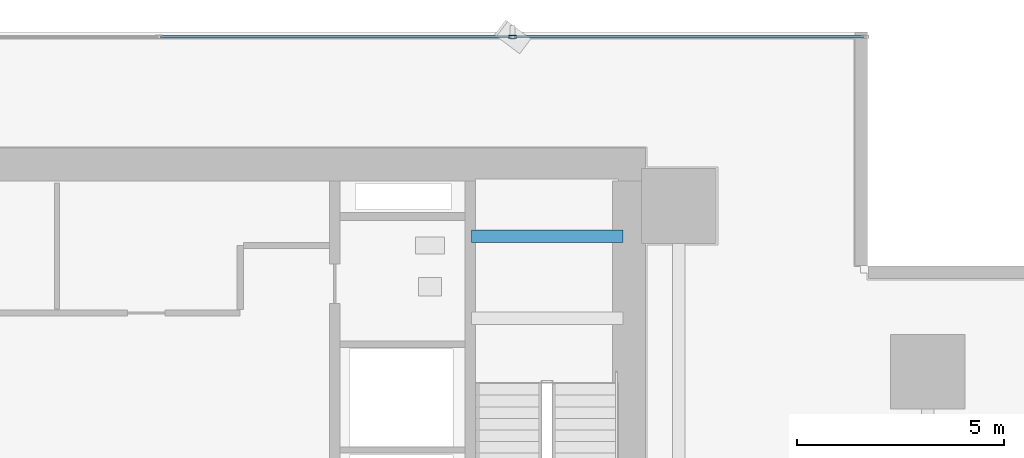
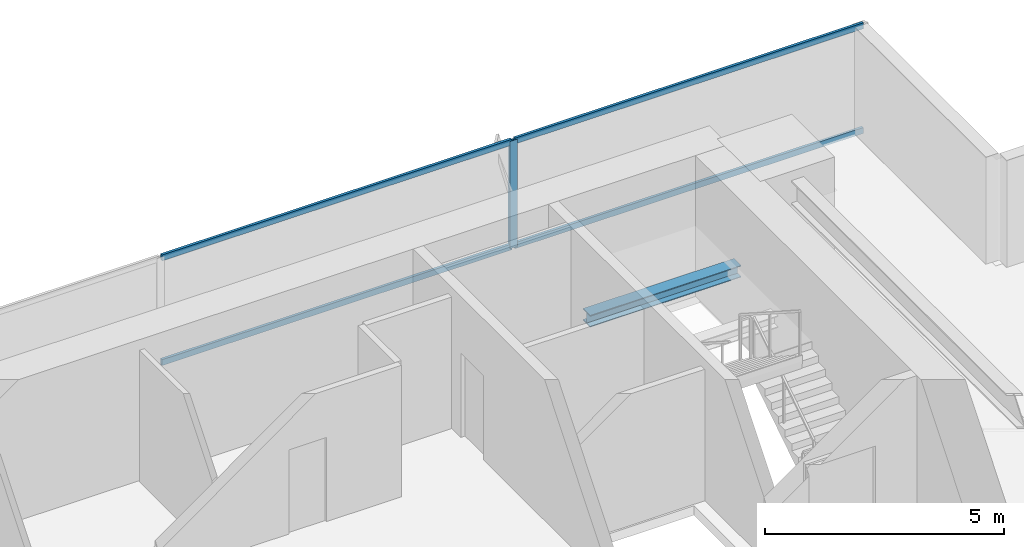
# One storey, part 22 of 33: 5 members, 1 beam, 1 element without a shape of its own.
"""IFC4 building model written with IfcOpenShell, lengths in metres."""

from ifc_helpers import new_model, si_unit, direction, frame, origin, origin_2d, place, context, subcontext, project, spatial, hollow_rectangle, i_section, extrude, source, transform, mapped, material, layer, layer_set, material_profile, profile_set, type_object, element, aggregate, save


model = new_model("IFC4")

# Units and contexts
model_context = context("Model", 3, precision=1e-05, world=origin(), true_north=direction((0.0, 1.0)))
body_context = subcontext(model_context, "Body", "Model", "MODEL_VIEW")
ifc_project = project(units=[si_unit("LENGTHUNIT", "METRE"), si_unit("AREAUNIT", "SQUARE_METRE"), si_unit("VOLUMEUNIT", "CUBIC_METRE"), si_unit("PLANEANGLEUNIT", "RADIAN"), si_unit("MASSUNIT", "GRAM", prefix="KILO")], contexts=[model_context])

# Site, building, storey
site_placement = place(None, origin())
site = spatial("IfcSite", under=ifc_project, at=site_placement, CompositionType="ELEMENT")
building_placement = place(site_placement, origin())
building = spatial("IfcBuilding", under=site, at=building_placement, Name="Sumidabori Civic Tower", CompositionType="ELEMENT")
storey_placement = place(building_placement, frame((0.0, 0.0, 38.0)))
storey = spatial("IfcBuildingStorey", under=building, at=storey_placement, Name="L09", CompositionType="ELEMENT", Elevation=38.0)

# Beam
ifc_material_1 = material(Name="Steel SN490", Category="steel")
ifc_material_profile_1 = material_profile(ifc_material_1, i_section(OverallWidth=0.300048828125, OverallDepth=0.300048828125, WebThickness=0.010986328125, FlangeThickness=0.01904296875, at=origin_2d()), Name="HE 300 B")
ifc_profile_set_1 = profile_set([ifc_material_profile_1], Name="Steel SN490")
beam_type = type_object("IfcBeamType", Name="BM-LDG-300", PredefinedType="BEAM", material=ifc_profile_set_1)
shared_shape_1 = source(origin(), body_context, "Body", "SweptSolid", [
    extrude(i_section(OverallWidth=0.300048828125, OverallDepth=0.300048828125, WebThickness=0.010986328125, FlangeThickness=0.01904296875, at=origin_2d()), origin(), (0.0, 0.0, 1.0), 3.64990234375),
])
beam_placement = place(storey_placement, frame((11.800048828125, 22.069580078125, 1.449951171875), z_axis=(1.0, 0.0, 0.0), x_axis=(0.0, 1.0, 0.0)))
element("IfcBeam", 1, at=beam_placement, inside=storey, type_object=beam_type, Name="Stair ST-2 Landing Trimmer Beam L09-1B", PredefinedType="BEAM", context=body_context, shape_type="MappedRepresentation", body=[
    mapped(shared_shape_1, transform((0.0, 0.0, 0.0), x_axis=(1.0, 0.0, 0.0), y_axis=(0.0, 1.0, 0.0), z_axis=(0.0, 0.0, 1.0), scale=1.0)),
])

# Curtain wall, members
ifc_material_2 = material(Name="Anodised Bronze Aluminium AW-6063-T6", Category="aluminium")
ifc_layer = layer(ifc_material_2, 0.179931640625, Name="Anodised Bronze Aluminium AW-6063-T6")
ifc_layer_set = layer_set([ifc_layer], Name="Anodised Bronze Aluminium AW-6063-T6")
curtain_wall_type = type_object("IfcCurtainWallType", Name="CW-SYS-2", PredefinedType="NOTDEFINED", material=ifc_layer_set)
curtain_wall_placement = place(storey_placement, origin())
curtain_wall = element("IfcCurtainWall", 2, at=curtain_wall_placement, inside=storey, type_object=curtain_wall_type, Name="Curtain Wall CW:L09:R07", PredefinedType="NOTDEFINED")
ifc_material_profile_2 = material_profile(ifc_material_2, hollow_rectangle(XDim=0.070068359375, YDim=0.179931640625, WallThickness=0.006103515625, at=origin_2d()), Name="ALU MULLION 180x70")
ifc_profile_set_2 = profile_set([ifc_material_profile_2], Name="Anodised Bronze Aluminium AW-6063-T6")
member_type_1 = type_object("IfcMemberType", Name="CW-MUL-180", PredefinedType="MULLION", material=ifc_profile_set_2)
shared_shape_2 = source(origin(), body_context, "Body", "SweptSolid", [
    extrude(hollow_rectangle(XDim=0.070068359375, YDim=0.179931640625, WallThickness=0.006103515625, at=origin_2d()), origin(), (0.0, 0.0, 1.0), 2.739990234375),
])
member_1_placement = place(storey_placement, frame((12.7919921875, 26.8798828125, 0.0), z_axis=(0.0, 0.0, 1.0), x_axis=(0.0, -1.0, 0.0)))
member_1 = element("IfcMember", 3, at=member_1_placement, type_object=member_type_1, Name="CW-2 mullion 2", PredefinedType="MULLION", context=body_context, shape_type="MappedRepresentation", body=[
    mapped(shared_shape_2, transform((0.0, 0.0, 0.0), x_axis=(1.0, 0.0, 0.0), y_axis=(0.0, 1.0, 0.0), z_axis=(0.0, 0.0, 1.0), scale=1.0)),
])
ifc_material_profile_3 = material_profile(ifc_material_2, hollow_rectangle(XDim=0.06494140625, YDim=0.14990234375, WallThickness=0.0048828125, at=origin_2d()), Name="ALU TRANSOM 150x65")
ifc_profile_set_3 = profile_set([ifc_material_profile_3], Name="Anodised Bronze Aluminium AW-6063-T6")
member_type_2 = type_object("IfcMemberType", Name="CW-TRN-150", PredefinedType="USERDEFINED", material=ifc_profile_set_3)
shared_shape_3 = source(origin(), body_context, "Body", "SweptSolid", [
    extrude(hollow_rectangle(XDim=0.06494140625, YDim=0.14990234375, WallThickness=0.0048828125, at=origin_2d()), origin(), (0.0, 0.0, 1.0), 8.423095703125),
])
member_2_placement = place(storey_placement, frame((21.25, 26.8798828125, 0.032470703125), z_axis=(-1.0, 0.0, 0.0), x_axis=(0.0, -1.0, 0.0)))
member_2 = element("IfcMember", 4, at=member_2_placement, type_object=member_type_2, Name="CW-2 transom 1.1", ObjectType="TRANSOM", PredefinedType="USERDEFINED", context=body_context, shape_type="MappedRepresentation", body=[
    mapped(shared_shape_3, transform((0.0, 0.0, 0.0), x_axis=(1.0, 0.0, 0.0), y_axis=(0.0, 1.0, 0.0), z_axis=(0.0, 0.0, 1.0), scale=1.0)),
])
member_3_placement = place(storey_placement, frame((21.25, 26.8798828125, 2.70751953125), z_axis=(-1.0, 0.0, 0.0), x_axis=(0.0, -1.0, 0.0)))
member_3 = element("IfcMember", 5, at=member_3_placement, type_object=member_type_2, Name="CW-2 transom 1.2", ObjectType="TRANSOM", PredefinedType="USERDEFINED", context=body_context, shape_type="MappedRepresentation", body=[
    mapped(shared_shape_3, transform((0.0, 0.0, 0.0), x_axis=(1.0, 0.0, 0.0), y_axis=(0.0, 1.0, 0.0), z_axis=(0.0, 0.0, 1.0), scale=1.0)),
])
shared_shape_4 = source(origin(), body_context, "Body", "SweptSolid", [
    extrude(hollow_rectangle(XDim=0.06494140625, YDim=0.14990234375, WallThickness=0.0048828125, at=origin_2d()), origin(), (0.0, 0.0, 1.0), 8.4580078125),
])
member_4_placement = place(storey_placement, frame((12.757080078125, 26.8798828125, 0.032470703125), z_axis=(-1.0, 0.0, 0.0), x_axis=(0.0, -1.0, 0.0)))
member_4 = element("IfcMember", 6, at=member_4_placement, type_object=member_type_2, Name="CW-2 transom 2.1", ObjectType="TRANSOM", PredefinedType="USERDEFINED", context=body_context, shape_type="MappedRepresentation", body=[
    mapped(shared_shape_4, transform((0.0, 0.0, 0.0), x_axis=(1.0, 0.0, 0.0), y_axis=(0.0, 1.0, 0.0), z_axis=(0.0, 0.0, 1.0), scale=1.0)),
])
member_5_placement = place(storey_placement, frame((12.757080078125, 26.8798828125, 2.70751953125), z_axis=(-1.0, 0.0, 0.0), x_axis=(0.0, -1.0, 0.0)))
member_5 = element("IfcMember", 7, at=member_5_placement, type_object=member_type_2, Name="CW-2 transom 2.2", ObjectType="TRANSOM", PredefinedType="USERDEFINED", context=body_context, shape_type="MappedRepresentation", body=[
    mapped(shared_shape_4, transform((0.0, 0.0, 0.0), x_axis=(1.0, 0.0, 0.0), y_axis=(0.0, 1.0, 0.0), z_axis=(0.0, 0.0, 1.0), scale=1.0)),
])
aggregate(curtain_wall, [member_1, member_2, member_3, member_4, member_5])

save(model, "model.ifc")
